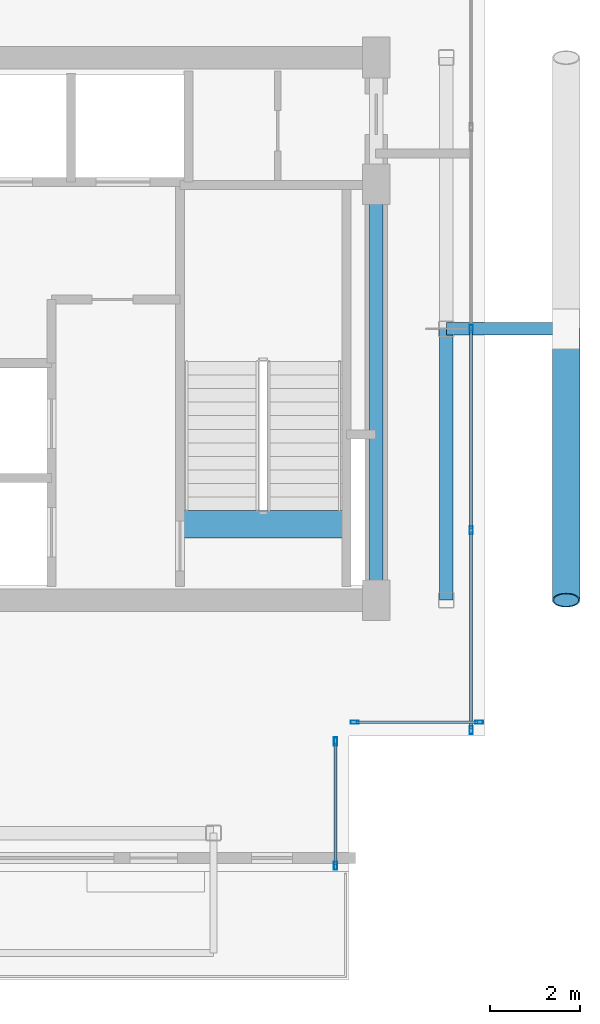
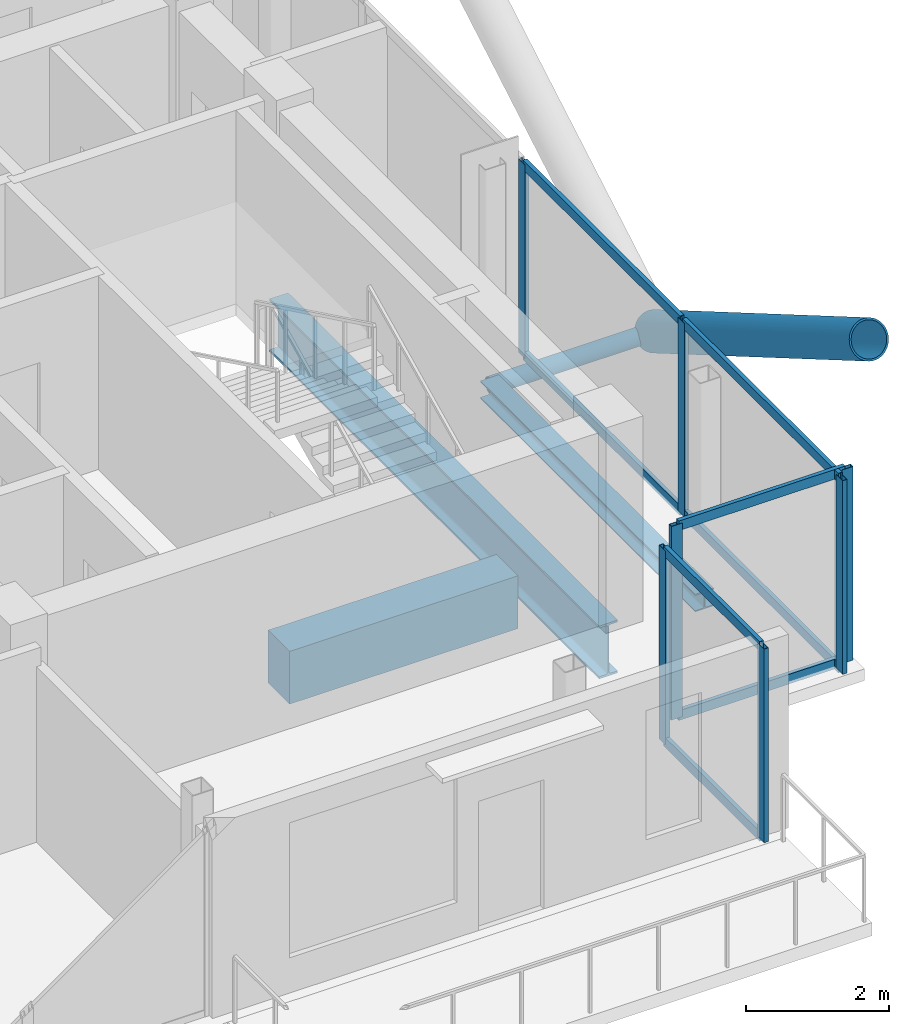
# One storey, part 11 of 18: 17 members, 3 beams, 3 elements without a shape of their own.
"""IFC4 building model written with IfcOpenShell, lengths in metres."""

from ifc_helpers import new_model, si_unit, direction, frame, origin, origin_2d, place, context, subcontext, project, spatial, rectangle, hollow_rectangle, hollow_circle, i_section, extrude, material, layer, layer_set, material_profile, profile_set, type_object, element, aggregate, save


model = new_model("IFC4")

# Units and contexts
model_context = context("Model", 3, precision=1e-05, world=origin(), true_north=direction((0.0, 1.0)))
body_context = subcontext(model_context, "Body", "Model", "MODEL_VIEW")
ifc_project = project(units=[si_unit("LENGTHUNIT", "METRE"), si_unit("AREAUNIT", "SQUARE_METRE"), si_unit("VOLUMEUNIT", "CUBIC_METRE"), si_unit("PLANEANGLEUNIT", "RADIAN"), si_unit("MASSUNIT", "GRAM", prefix="KILO"), si_unit("THERMODYNAMICTEMPERATUREUNIT", "KELVIN"), si_unit("POWERUNIT", "WATT")], contexts=[model_context])

# Site, building, storey
site_placement = place(None, origin())
site = spatial("IfcSite", under=ifc_project, at=site_placement, CompositionType="ELEMENT")
building_placement = place(site_placement, origin())
building = spatial("IfcBuilding", under=site, at=building_placement, Name="Svarakhadi Broadcast Tower", CompositionType="ELEMENT")
storey_placement = place(building_placement, frame((0.0, 0.0, 274.699951171875)))
storey = spatial("IfcBuildingStorey", under=building, at=storey_placement, Name="L69", CompositionType="ELEMENT", Elevation=274.699951171875)

# Curtain wall, members
ifc_material_1 = material(Name="Anodised Bronze Aluminium AA 6063-T6", Category="aluminium")
ifc_layer = layer(ifc_material_1, 0.179931640625)
ifc_layer_set = layer_set([ifc_layer], Name="Anodised Bronze Aluminium AA 6063-T6")
curtain_wall_type = type_object("IfcCurtainWallType", Name="CW_Sys_05", PredefinedType="NOTDEFINED", material=ifc_layer_set)
curtain_wall_1_placement = place(storey_placement, origin())
curtain_wall_1 = element("IfcCurtainWall", 1, at=curtain_wall_1_placement, inside=storey, type_object=curtain_wall_type, Name="L69 Unitised Facade Curtain Wall 12", PredefinedType="NOTDEFINED")
ifc_material_profile_1 = material_profile(ifc_material_1, hollow_rectangle(XDim=0.070068359375, YDim=0.179931640625, WallThickness=0.005615234375, at=origin_2d()), Name="ALU MULLION 180x70x6")
ifc_profile_set_1 = profile_set([ifc_material_profile_1], Name="Anodised Bronze Aluminium AA 6063-T6")
member_type_1 = type_object("IfcMemberType", Name="CW_Sys_05_Mul", PredefinedType="MULLION", material=ifc_profile_set_1)
member_1_placement = place(storey_placement, frame((35.699951171875, 12.0, 0.0), z_axis=(0.0, 0.0, 1.0), x_axis=(1.0, 0.0, 0.0)))
member_1 = element("IfcMember", 2, at=member_1_placement, type_object=member_type_1, Name="CW-05 mullion 3", PredefinedType="MULLION", context=body_context, shape_type="SweptSolid", body=[
    extrude(hollow_rectangle(XDim=0.070068359375, YDim=0.179931640625, WallThickness=0.005615234375, at=origin_2d()), origin(), (0.0, 0.0, 1.0), 3.300048828125),
])
member_2_placement = place(storey_placement, frame((35.699951171875, 7.544921875, 0.0), z_axis=(0.0, 0.0, 1.0), x_axis=(1.0, 0.0, 0.0)))
member_2 = element("IfcMember", 3, at=member_2_placement, type_object=member_type_1, Name="CW-05 mullion 4", PredefinedType="MULLION", context=body_context, shape_type="SweptSolid", body=[
    extrude(hollow_rectangle(XDim=0.070068359375, YDim=0.179931640625, WallThickness=0.005615234375, at=origin_2d()), origin(), (0.0, 0.0, 1.0), 3.300048828125),
])
member_3_placement = place(storey_placement, frame((35.699951171875, 3.125, 0.0), z_axis=(0.0, 0.0, 1.0), x_axis=(1.0, 0.0, 0.0)))
member_3 = element("IfcMember", 4, at=member_3_placement, type_object=member_type_1, Name="CW-05 mullion 5", PredefinedType="MULLION", context=body_context, shape_type="SweptSolid", body=[
    extrude(hollow_rectangle(XDim=0.070068359375, YDim=0.179931640625, WallThickness=0.005615234375, at=origin_2d()), origin(), (0.0, 0.0, 1.0), 3.300048828125),
])

curtain_wall_2_placement = place(storey_placement, origin())
curtain_wall_2 = element("IfcCurtainWall", 5, at=curtain_wall_2_placement, inside=storey, type_object=curtain_wall_type, Name="L69 Unitised Facade Curtain Wall 13", PredefinedType="NOTDEFINED")
member_4_placement = place(storey_placement, frame((35.875, 3.300048828125, 0.0), z_axis=(0.0, 0.0, 1.0), x_axis=(0.0, -1.0, 0.0)))
member_4 = element("IfcMember", 6, at=member_4_placement, type_object=member_type_1, Name="CW-05 mullion 1", PredefinedType="MULLION", context=body_context, shape_type="SweptSolid", body=[
    extrude(hollow_rectangle(XDim=0.070068359375, YDim=0.179931640625, WallThickness=0.005615234375, at=origin_2d()), origin(), (0.0, 0.0, 1.0), 3.300048828125),
])
member_5_placement = place(storey_placement, frame((33.125, 3.300048828125, 0.0), z_axis=(0.0, 0.0, 1.0), x_axis=(0.0, -1.0, 0.0)))
member_5 = element("IfcMember", 7, at=member_5_placement, type_object=member_type_1, Name="CW-05 mullion 2", PredefinedType="MULLION", context=body_context, shape_type="SweptSolid", body=[
    extrude(hollow_rectangle(XDim=0.070068359375, YDim=0.179931640625, WallThickness=0.005615234375, at=origin_2d()), origin(), (0.0, 0.0, 1.0), 3.300048828125),
])

curtain_wall_3_placement = place(storey_placement, origin())
curtain_wall_3 = element("IfcCurtainWall", 8, at=curtain_wall_3_placement, inside=storey, type_object=curtain_wall_type, Name="L69 Unitised Facade Curtain Wall 14", PredefinedType="NOTDEFINED")
member_6_placement = place(storey_placement, frame((32.699951171875, 2.875, 0.0), z_axis=(0.0, 0.0, 1.0), x_axis=(1.0, 0.0, 0.0)))
member_6 = element("IfcMember", 9, at=member_6_placement, type_object=member_type_1, Name="CW-05 mullion 1", PredefinedType="MULLION", context=body_context, shape_type="SweptSolid", body=[
    extrude(hollow_rectangle(XDim=0.070068359375, YDim=0.179931640625, WallThickness=0.005615234375, at=origin_2d()), origin(), (0.0, 0.0, 1.0), 3.300048828125),
])
member_7_placement = place(storey_placement, frame((32.699951171875, 0.125, 0.0), z_axis=(0.0, 0.0, 1.0), x_axis=(1.0, 0.0, 0.0)))
member_7 = element("IfcMember", 10, at=member_7_placement, type_object=member_type_1, Name="CW-05 mullion 2", PredefinedType="MULLION", context=body_context, shape_type="SweptSolid", body=[
    extrude(hollow_rectangle(XDim=0.070068359375, YDim=0.179931640625, WallThickness=0.005615234375, at=origin_2d()), origin(), (0.0, 0.0, 1.0), 3.300048828125),
])

# Member
ifc_material_profile_2 = material_profile(ifc_material_1, hollow_rectangle(XDim=0.06494140625, YDim=0.1650390625, WallThickness=0.0048828125, at=origin_2d()), Name="ALU TRANSOM 165x65x5")
ifc_profile_set_2 = profile_set([ifc_material_profile_2], Name="Anodised Bronze Aluminium AA 6063-T6")
member_type_2 = type_object("IfcMemberType", Name="CW_Sys_05_Trn", PredefinedType="USERDEFINED", material=ifc_profile_set_2)
member_8_placement = place(storey_placement, frame((35.699951171875, 11.965087890625, 0.032470703125), z_axis=(0.0, -1.0, 0.0), x_axis=(1.0, 0.0, 0.0)))
member_8 = element("IfcMember", 11, at=member_8_placement, type_object=member_type_2, Name="CW-05 transom 3.1", ObjectType="TRANSOM", PredefinedType="USERDEFINED", context=body_context, shape_type="SweptSolid", body=[
    extrude(hollow_rectangle(XDim=0.06494140625, YDim=0.1650390625, WallThickness=0.0048828125, at=origin_2d()), origin(), (0.0, 0.0, 1.0), 4.385009765625),
])

member_9_placement = place(storey_placement, frame((35.699951171875, 11.965087890625, 3.267578125), z_axis=(0.0, -1.0, 0.0), x_axis=(1.0, 0.0, 0.0)))
member_9 = element("IfcMember", 12, at=member_9_placement, type_object=member_type_2, Name="CW-05 transom 3.2", ObjectType="TRANSOM", PredefinedType="USERDEFINED", context=body_context, shape_type="SweptSolid", body=[
    extrude(hollow_rectangle(XDim=0.06494140625, YDim=0.1650390625, WallThickness=0.0048828125, at=origin_2d()), origin(), (0.0, 0.0, 1.0), 4.385009765625),
])

member_10_placement = place(storey_placement, frame((35.699951171875, 7.510009765625, 0.032470703125), z_axis=(0.0, -1.0, 0.0), x_axis=(1.0, 0.0, 0.0)))
member_10 = element("IfcMember", 13, at=member_10_placement, type_object=member_type_2, Name="CW-05 transom 4.1", ObjectType="TRANSOM", PredefinedType="USERDEFINED", context=body_context, shape_type="SweptSolid", body=[
    extrude(hollow_rectangle(XDim=0.06494140625, YDim=0.1650390625, WallThickness=0.0048828125, at=origin_2d()), origin(), (0.0, 0.0, 1.0), 4.35009765625),
])

member_11_placement = place(storey_placement, frame((35.699951171875, 7.510009765625, 3.267578125), z_axis=(0.0, -1.0, 0.0), x_axis=(1.0, 0.0, 0.0)))
member_11 = element("IfcMember", 14, at=member_11_placement, type_object=member_type_2, Name="CW-05 transom 4.2", ObjectType="TRANSOM", PredefinedType="USERDEFINED", context=body_context, shape_type="SweptSolid", body=[
    extrude(hollow_rectangle(XDim=0.06494140625, YDim=0.1650390625, WallThickness=0.0048828125, at=origin_2d()), origin(), (0.0, 0.0, 1.0), 4.35009765625),
])

aggregate(curtain_wall_1, [member_1, member_2, member_3, member_8, member_9, member_10, member_11])

member_12_placement = place(storey_placement, frame((35.840087890625, 3.300048828125, 0.032470703125), z_axis=(-1.0, 0.0, 0.0), x_axis=(0.0, -1.0, 0.0)))
member_12 = element("IfcMember", 15, at=member_12_placement, type_object=member_type_2, Name="CW-05 transom 1.1", ObjectType="TRANSOM", PredefinedType="USERDEFINED", context=body_context, shape_type="SweptSolid", body=[
    extrude(hollow_rectangle(XDim=0.06494140625, YDim=0.1650390625, WallThickness=0.0048828125, at=origin_2d()), origin(), (0.0, 0.0, 1.0), 2.68017578125),
])

member_13_placement = place(storey_placement, frame((35.840087890625, 3.300048828125, 3.267578125), z_axis=(-1.0, 0.0, 0.0), x_axis=(0.0, -1.0, 0.0)))
member_13 = element("IfcMember", 16, at=member_13_placement, type_object=member_type_2, Name="CW-05 transom 1.2", ObjectType="TRANSOM", PredefinedType="USERDEFINED", context=body_context, shape_type="SweptSolid", body=[
    extrude(hollow_rectangle(XDim=0.06494140625, YDim=0.1650390625, WallThickness=0.0048828125, at=origin_2d()), origin(), (0.0, 0.0, 1.0), 2.68017578125),
])

aggregate(curtain_wall_2, [member_4, member_5, member_12, member_13])

member_14_placement = place(storey_placement, frame((32.699951171875, 2.840087890625, 0.032470703125), z_axis=(0.0, -1.0, 0.0), x_axis=(1.0, 0.0, 0.0)))
member_14 = element("IfcMember", 17, at=member_14_placement, type_object=member_type_2, Name="CW-05 transom 1.1", ObjectType="TRANSOM", PredefinedType="USERDEFINED", context=body_context, shape_type="SweptSolid", body=[
    extrude(hollow_rectangle(XDim=0.06494140625, YDim=0.1650390625, WallThickness=0.0048828125, at=origin_2d()), origin(), (0.0, 0.0, 1.0), 2.68017578125),
])

member_15_placement = place(storey_placement, frame((32.699951171875, 2.840087890625, 3.267578125), z_axis=(0.0, -1.0, 0.0), x_axis=(1.0, 0.0, 0.0)))
member_15 = element("IfcMember", 18, at=member_15_placement, type_object=member_type_2, Name="CW-05 transom 1.2", ObjectType="TRANSOM", PredefinedType="USERDEFINED", context=body_context, shape_type="SweptSolid", body=[
    extrude(hollow_rectangle(XDim=0.06494140625, YDim=0.1650390625, WallThickness=0.0048828125, at=origin_2d()), origin(), (0.0, 0.0, 1.0), 2.68017578125),
])

aggregate(curtain_wall_3, [member_6, member_7, member_14, member_15])

# Beam
ifc_material_2 = material(Name="Concrete C50/60 (IS 456 M60)", Category="concrete")
ifc_material_profile_3 = material_profile(ifc_material_2, rectangle(XDim=0.60009765625, YDim=0.89990234375, at=origin_2d()), Name="RC 600x900")
ifc_profile_set_3 = profile_set([ifc_material_profile_3], Name="Concrete C50/60 (IS 456 M60)")
beam_type_1 = type_object("IfcBeamType", Name="Coupling_RC600", PredefinedType="USERDEFINED", material=ifc_profile_set_3)
beam_1_placement = place(storey_placement, frame((29.260009765625, 7.679931640625, -0.449951171875), z_axis=(1.0, 0.0, 0.0), x_axis=(0.0, 1.0, 0.0)))
element("IfcBeam", 19, at=beam_1_placement, inside=storey, type_object=beam_type_1, Name="L69 Stair ST-02 Landing Throat Trimmer Beam CB-01", ObjectType="GIRDER", PredefinedType="USERDEFINED", context=body_context, shape_type="SweptSolid", body=[
    extrude(rectangle(XDim=0.60009765625, YDim=0.89990234375, at=origin_2d()), origin(), (0.0, 0.0, 1.0), 3.679931640625),
])

# Members
ifc_material_3 = material(Name="Steel S460ML (IS 2062 E450BR)", Category="steel")
ifc_material_profile_4 = material_profile(ifc_material_3, hollow_circle(Radius=0.304931640625, WallThickness=0.030029296875, at=origin_2d()), Name="CHS 610x30")
ifc_profile_set_4 = profile_set([ifc_material_profile_4], Name="Steel S460ML (IS 2062 E450BR)")
member_type_3 = type_object("IfcMemberType", Name="Exo_Brace_CHS610", PredefinedType="BRACE", material=ifc_profile_set_4)
member_16_placement = place(storey_placement, frame((37.800048828125, 12.0, -0.33642578125), z_axis=(0.0, -0.863778900898, 0.503871025524), x_axis=(1.0, 0.0, 0.0)))
element("IfcMember", 20, at=member_16_placement, inside=storey, type_object=member_type_3, Name="L69 Exposed Bronze Exoskeleton Diagonal E04", PredefinedType="BRACE", context=body_context, shape_type="SweptSolid", body=[
    extrude(hollow_circle(Radius=0.304931640625, WallThickness=0.030029296875, at=origin_2d()), origin(), (0.0, 0.0, 1.0), 6.9462890625),
])
ifc_material_profile_5 = material_profile(ifc_material_3, hollow_circle(Radius=0.136474609375, WallThickness=0.012451171875, at=origin_2d()), Name="CHS 273x12.5")
ifc_profile_set_5 = profile_set([ifc_material_profile_5], Name="Steel S460ML (IS 2062 E450BR)")
member_type_4 = type_object("IfcMemberType", Name="Exo_Radial_Strut_Z3", PredefinedType="STRUT", material=ifc_profile_set_5)
member_17_placement = place(storey_placement, frame((37.800048828125, 12.0, -0.33642578125), z_axis=(-1.0, 0.0, 0.0), x_axis=(0.0, -1.0, 0.0)))
element("IfcMember", 21, at=member_17_placement, inside=storey, type_object=member_type_4, Name="L69 Exoskeleton Radial Tie Strut E03", PredefinedType="STRUT", context=body_context, shape_type="SweptSolid", body=[
    extrude(hollow_circle(Radius=0.136474609375, WallThickness=0.012451171875, at=origin_2d()), origin(), (0.0, 0.0, 1.0), 2.650146484375),
])

# Beams
ifc_material_4 = material(Name="Steel S355J2 (IS 2062 E350C)", Category="steel")
ifc_material_profile_6 = material_profile(ifc_material_4, i_section(OverallWidth=0.300048828125, OverallDepth=0.300048828125, WebThickness=0.010986328125, FlangeThickness=0.01904296875, FilletRadius=0.027099609375, at=origin_2d()), Name="WPB 300x300x117")
ifc_profile_set_6 = profile_set([ifc_material_profile_6], Name="Steel S355J2 (IS 2062 E350C)")
beam_type_2 = type_object("IfcBeamType", Name="Girder_WPB300", PredefinedType="USERDEFINED", material=ifc_profile_set_6)
beam_2_placement = place(storey_placement, frame((35.14990234375, 6.0, -0.349853515625), z_axis=(0.0, 1.0, 0.0), x_axis=(-1.0, 0.0, 0.0)))
element("IfcBeam", 22, at=beam_2_placement, inside=storey, type_object=beam_type_2, Name="L69 Primary N-S Girder G045", ObjectType="GIRDER", PredefinedType="USERDEFINED", context=body_context, shape_type="SweptSolid", body=[
    extrude(i_section(OverallWidth=0.300048828125, OverallDepth=0.300048828125, WebThickness=0.010986328125, FlangeThickness=0.01904296875, FilletRadius=0.027099609375, at=origin_2d()), origin(), (0.0, 0.0, 1.0), 6.0),
])
ifc_material_profile_7 = material_profile(ifc_material_3, i_section(OverallWidth=0.300048828125, OverallDepth=0.89990234375, WebThickness=0.0185546875, FlangeThickness=0.034912109375, FilletRadius=0.030029296875, at=origin_2d()), Name="WPB 900x300x291")
ifc_profile_set_7 = profile_set([ifc_material_profile_7], Name="Steel S460ML (IS 2062 E450BR)")
beam_type_3 = type_object("IfcBeamType", Name="Girder_WPB900", PredefinedType="USERDEFINED", material=ifc_profile_set_7)
beam_3_placement = place(storey_placement, frame((33.60009765625, 6.0, -0.64990234375), z_axis=(0.0, 1.0, 0.0), x_axis=(-1.0, 0.0, 0.0)))
element("IfcBeam", 23, at=beam_3_placement, inside=storey, type_object=beam_type_3, Name="L69 Primary N-S Girder G043", ObjectType="GIRDER", PredefinedType="USERDEFINED", context=body_context, shape_type="SweptSolid", body=[
    extrude(i_section(OverallWidth=0.300048828125, OverallDepth=0.89990234375, WebThickness=0.0185546875, FlangeThickness=0.034912109375, FilletRadius=0.030029296875, at=origin_2d()), origin(), (0.0, 0.0, 1.0), 9.199951171875),
])

save(model, "model.ifc")
